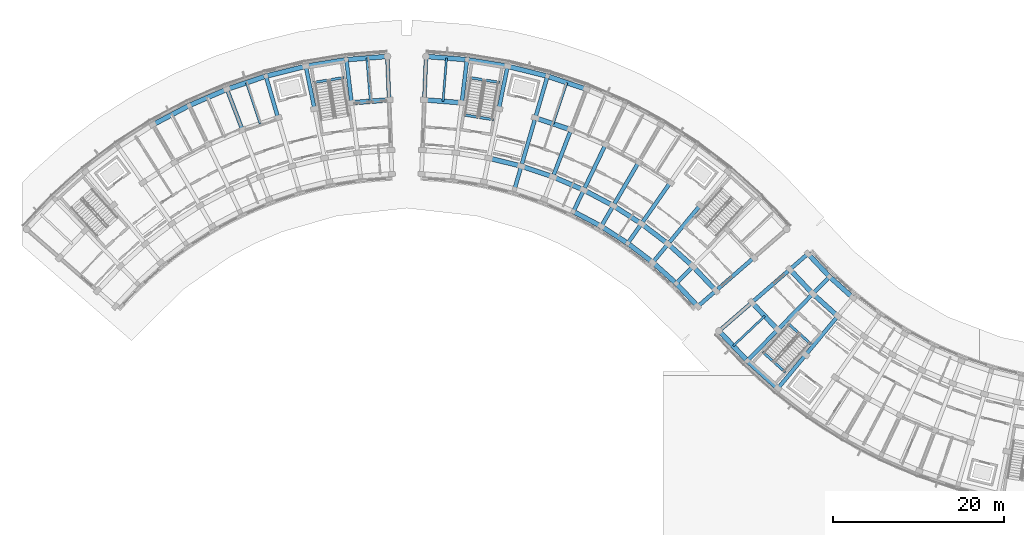
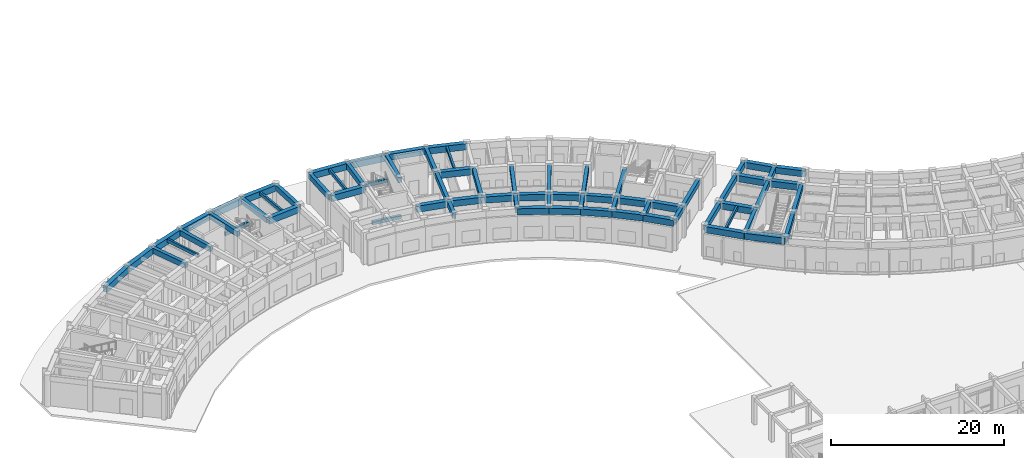
# One storey, part 17 of 61: 74 beams.
"""IFC4 building model written with IfcOpenShell, lengths in metres."""

import ifcopenshell
import ifcopenshell.guid

model = None  # the IFC model being written
_history = None  # IfcOwnerHistory: only IFC2X3 demands one
_inside = {}  # id of a spatial element -> (the spatial element, [elements in it])
_under = {}  # id of a project, library or spatial element -> (it, [spatial elements below it])
_declared = {}  # id of a project -> (the project, [libraries it declares])
_typed = {}  # id of a type object -> (the type object, [elements of that type])
_made_of = {}  # id of a material, layer set ... -> (it, [elements and type objects made of it])


def new_model(schema):
    """Start an empty IFC model of exactly this schema.

    Asked for "IFC4X3", IfcOpenShell would pick the latest addendum, in which some entities
    have other attributes; the version numbers below select the first issue.
    IFC2X3 requires an IfcOwnerHistory on every rooted entity: one is made here for all.
    """
    global model, _history
    if schema == "IFC4X3":
        model = ifcopenshell.file(schema_version=(4, 3, 0, 0))
    else:
        model = ifcopenshell.file(schema=schema)
    _inside.clear()
    _under.clear()
    _declared.clear()
    _typed.clear()
    _made_of.clear()
    _history = None
    if model.schema == "IFC2X3":
        org = make("IfcOrganization", Name="unknown")
        user = make(
            "IfcPersonAndOrganization",
            ThePerson=make("IfcPerson", FamilyName="unknown"),
            TheOrganization=org,
        )
        app = make(
            "IfcApplication",
            ApplicationDeveloper=org,
            Version="unknown",
            ApplicationFullName="unknown",
            ApplicationIdentifier="unknown",
        )
        _history = make(
            "IfcOwnerHistory",
            OwningUser=user,
            OwningApplication=app,
            ChangeAction="ADDED",
            CreationDate=0,
        )
    return model


def make(cls, **values):
    """One entity of the class cls with the attributes given. An attribute that is None is left unset."""
    return model.create_entity(
        cls, **{name: value for name, value in values.items() if value is not None}
    )


def rooted(cls, **values):
    """An entity with a GlobalId (a new one), such as an element, a storey or a relation."""
    return make(cls, GlobalId=ifcopenshell.guid.new(), OwnerHistory=_history, **values)


def si_unit(unit_type, name, prefix=None):
    """IfcSIUnit, for example si_unit("LENGTHUNIT", "METRE", prefix="MILLI")."""
    return make("IfcSIUnit", UnitType=unit_type, Prefix=prefix, Name=name)


def assignment(units):
    """IfcUnitAssignment: the units of a project."""
    return None if units is None else make("IfcUnitAssignment", Units=units)


def point(xyz):
    """IfcCartesianPoint."""
    return None if xyz is None else make("IfcCartesianPoint", Coordinates=xyz)


def direction(xyz):
    """IfcDirection."""
    return None if xyz is None else make("IfcDirection", DirectionRatios=xyz)


def frame(location, z_axis=None, x_axis=None):
    """IfcAxis2Placement3D, a coordinate frame: its origin and axes. An axis left out is left unset."""
    return make(
        "IfcAxis2Placement3D",
        Location=point(location),
        Axis=direction(z_axis),
        RefDirection=direction(x_axis),
    )


def frame_2d(location, x_axis=None):
    """IfcAxis2Placement2D, a coordinate frame in the plane: its origin and x axis."""
    return make(
        "IfcAxis2Placement2D", Location=point(location), RefDirection=direction(x_axis)
    )


def origin():
    """The frame at (0, 0, 0) with its axes left unset."""
    return frame((0.0, 0.0, 0.0))


def origin_2d():
    """The frame at (0, 0) in the plane with its x axis left unset."""
    return frame_2d((0.0, 0.0))


def place(relative_to, where):
    """IfcLocalPlacement: puts the frame where relative to a parent placement (None: the world)."""
    return make(
        "IfcLocalPlacement", PlacementRelTo=relative_to, RelativePlacement=where
    )


def context(
    kind, dimensions, precision=None, world=None, true_north=None, identifier=None
):
    """IfcGeometricRepresentationContext, for example the 3D "Model" context."""
    return make(
        "IfcGeometricRepresentationContext",
        ContextIdentifier=identifier,
        ContextType=kind,
        CoordinateSpaceDimension=dimensions,
        Precision=precision,
        WorldCoordinateSystem=world,
        TrueNorth=true_north,
    )


def subcontext(parent, identifier, kind, view, scale=None):
    """IfcGeometricRepresentationSubContext, for example "Body" below "Model"."""
    return make(
        "IfcGeometricRepresentationSubContext",
        ContextIdentifier=identifier,
        ContextType=kind,
        ParentContext=parent,
        TargetScale=scale,
        TargetView=view,
    )


def project(units=None, contexts=None):
    """IfcProject with its units and contexts."""
    return rooted(
        "IfcProject",
        Name="project",
        RepresentationContexts=contexts,
        UnitsInContext=assignment(units),
    )


def spatial(cls, under=None, at=None, **own):
    """A site, building, storey or space (cls), placed at a placement, below another one or the project."""
    s = rooted(cls, ObjectPlacement=at, **own)
    if under is not None:
        _under.setdefault(under.id(), (under, []))[1].append(s)
    return s


def profile(cls, at=None, kind="AREA", **sizes):
    """A parametric profile (cls). Its sizes go by their IFC names, for example OverallWidth=200.0."""
    return make(cls, ProfileType=kind, Position=at, **sizes)


def rectangle(**sizes):
    """IfcRectangleProfileDef."""
    return profile("IfcRectangleProfileDef", **sizes)


def extrude(swept, where, along, depth):
    """IfcExtrudedAreaSolid: the profile swept, set in the frame where, extruded along a direction by depth."""
    return make(
        "IfcExtrudedAreaSolid",
        SweptArea=swept,
        Position=where,
        ExtrudedDirection=direction(along),
        Depth=depth,
    )


def shape(context_of_items, identifier, shape_type, items):
    """IfcShapeRepresentation: the items that make up one representation, for example the "Body"."""
    return make(
        "IfcShapeRepresentation",
        ContextOfItems=context_of_items,
        RepresentationIdentifier=identifier,
        RepresentationType=shape_type,
        Items=items,
    )


def material(Name=None, Category=None):
    """IfcMaterial."""
    return make("IfcMaterial", Name=Name, Category=Category)


def material_profile(
    of_material, cross_section, Name=None, Category=None, Priority=None
):
    """IfcMaterialProfile: a cross section and its material."""
    return make(
        "IfcMaterialProfile",
        Name=Name,
        Material=of_material,
        Profile=cross_section,
        Priority=Priority,
        Category=Category,
    )


def profile_set(profiles, Name=None, composite=None):
    """IfcMaterialProfileSet."""
    return make(
        "IfcMaterialProfileSet",
        Name=Name,
        MaterialProfiles=profiles,
        CompositeProfile=composite,
    )


def made_of(thing, what):
    """Note that an element or type object is made of a material, layer set ...; save() writes the relation."""
    if what is not None:
        _made_of.setdefault(what.id(), (what, []))[1].append(thing)
    return thing


def type_object(cls, material=None, **own):
    """A type object (cls), such as IfcWallType, which elements share."""
    return made_of(rooted(cls, **own), material)


def element(
    cls,
    number,
    at=None,
    inside=None,
    cuts=None,
    type_object=None,
    material=None,
    context=None,
    identifier="Body",
    shape_type=None,
    held_by="IfcProductDefinitionShape",
    body=None,
    shapes=None,
    **own,
):
    """One element of the class cls, such as IfcWall. Its Tag is "e" and its number.

    at: its placement. inside: the storey or other place that contains it. cuts: it is an
    opening in that element (IfcRelVoidsElement). A single representation is given by context,
    identifier, shape_type and body (its items); several are given by shapes. held_by: the class
    of the entity that holds the representations. save() writes the other relations.
    """
    e = rooted(cls, Tag="e%d" % number, ObjectPlacement=at, **own)
    if body is not None:
        shapes = [shape(context, identifier, shape_type, body)]
    if shapes is not None:
        e.Representation = make(held_by, Representations=shapes)
    if inside is not None:
        _inside.setdefault(inside.id(), (inside, []))[1].append(e)
    if cuts is not None:
        rooted(
            "IfcRelVoidsElement", RelatingBuildingElement=cuts, RelatedOpeningElement=e
        )
    if type_object is not None:
        _typed.setdefault(type_object.id(), (type_object, []))[1].append(e)
    return made_of(e, material)


def aggregate(whole, parts):
    """IfcRelAggregates: a whole, such as a stair, and the parts it consists of."""
    return rooted("IfcRelAggregates", RelatingObject=whole, RelatedObjects=parts)


def save(model, path):
    """Write the relations noted so far, then the file.

    IfcRelAggregates (storeys below a building ...), IfcRelContainedInSpatialStructure (elements
    in a storey), IfcRelDefinesByType, IfcRelAssociatesMaterial and IfcRelDeclares: one each for
    every whole, place, type object, material and project.
    """
    for whole, parts in _under.values():
        aggregate(whole, parts)
    for where, things in _inside.values():
        rooted(
            "IfcRelContainedInSpatialStructure",
            RelatedElements=things,
            RelatingStructure=where,
        )
    for kind, things in _typed.values():
        rooted("IfcRelDefinesByType", RelatedObjects=things, RelatingType=kind)
    for what, things in _made_of.values():
        rooted("IfcRelAssociatesMaterial", RelatedObjects=things, RelatingMaterial=what)
    for by, libraries in _declared.values():
        rooted("IfcRelDeclares", RelatingContext=by, RelatedDefinitions=libraries)
    model.write(path)


model = new_model("IFC4")

# Units and contexts
model_context = context("Model", 3, precision=1e-05, world=origin(), true_north=direction((0.0, 1.0)))
body_context = subcontext(model_context, "Body", "Model", "MODEL_VIEW")
ifc_project = project(units=[si_unit("LENGTHUNIT", "METRE"), si_unit("AREAUNIT", "SQUARE_METRE"), si_unit("VOLUMEUNIT", "CUBIC_METRE"), si_unit("PLANEANGLEUNIT", "RADIAN"), si_unit("MASSUNIT", "GRAM", prefix="KILO")], contexts=[model_context])

# Site, building, storey
site_placement = place(None, origin())
site = spatial("IfcSite", under=ifc_project, at=site_placement, CompositionType="ELEMENT")
building_placement = place(site_placement, origin())
building = spatial("IfcBuilding", under=site, at=building_placement, Name="Zimvara Arc Housing Community", CompositionType="ELEMENT")
storey_placement = place(building_placement, origin())
storey = spatial("IfcBuildingStorey", under=building, at=storey_placement, Name="L00", CompositionType="ELEMENT", Elevation=0.0)

# Beams
ifc_material_1 = material(Name="Concrete C40/50", Category="concrete")
ifc_material_profile_1 = material_profile(ifc_material_1, rectangle(XDim=0.25, YDim=0.449951171875, at=origin_2d()), Name="RC 250x450")
ifc_profile_set_1 = profile_set([ifc_material_profile_1], Name="Concrete C40/50")
beam_type_1 = type_object("IfcBeamType", Name="BM-RC-250x450", PredefinedType="JOIST", material=ifc_profile_set_1)
for number, where, z_axis, x_axis, name in (
    (1, (27.8720703125, 95.453369140625, 4.034912109375), (-0.318607669836, 0.947886677152, 0.0), (-0.947886677152, -0.318607669836, 0.0), "bm:blkA:L00:joist:b6"),
    (2, (40.7451171875, 98.08642578125, 4.034912109375), (-0.079171686291, 0.99686099537, 0.0), (-0.99686099537, -0.079171686291, 0.0), "bm:blkA:L00:joist:b9"),
    (3, (49.2548828125, 98.08642578125, 4.034912109375), (0.079171686291, 0.99686099537, 0.0), (-0.99686099537, 0.079171686291, 0.0), "bm:blkB:L00:joist:b0"),
    (4, (62.1279296875, 95.453369140625, 4.034912109375), (0.318607669836, 0.947886677152, 0.0), (-0.947886677152, 0.318607669836, 0.0), "bm:blkB:L00:joist:b3"),
):
    element("IfcBeam", number, at=place(storey_placement, frame(where, z_axis=z_axis, x_axis=x_axis)), inside=storey, type_object=beam_type_1, Name=name, PredefinedType="JOIST", context=body_context, shape_type="SweptSolid", body=[
        extrude(rectangle(XDim=0.25, YDim=0.449951171875, at=origin_2d()), origin(), (0.0, 0.0, 1.0), 5.07568359375),
    ])
beam_1_placement = place(storey_placement, frame((86.88427734375, 72.966552734375, 4.034912109375), z_axis=(-0.727299876429, -0.686319815936, 0.0), x_axis=(0.686319815936, -0.727299876429, 0.0)))
element("IfcBeam", 5, at=beam_1_placement, inside=storey, type_object=beam_type_1, Name="bm:blkC:L00:joist:b0", PredefinedType="JOIST", context=body_context, shape_type="SweptSolid", body=[
    extrude(rectangle(XDim=0.25, YDim=0.449951171875, at=origin_2d()), origin(), (0.0, 0.0, 1.0), 5.075927734375),
])
ifc_material_2 = material(Name="Concrete C40/50", Category="concrete")
ifc_material_profile_2 = material_profile(ifc_material_2, rectangle(XDim=0.300048828125, YDim=0.5, at=origin_2d()), Name="RC 300x500")
ifc_profile_set_2 = profile_set([ifc_material_profile_2], Name="Concrete C40/50")
beam_type_2 = type_object("IfcBeamType", Name="BM-RC-300x500", PredefinedType="BEAM", material=ifc_profile_set_2)
beam_2_placement = place(storey_placement, frame((37.659423828125, 100.862060546875, 2.0), z_axis=(-0.987078302092, -0.160238651826, 0.0), x_axis=(0.160238651826, -0.987078302092, 0.0)))
element("IfcBeam", 6, at=beam_2_placement, inside=storey, type_object=beam_type_2, Name="bm:stair_trim:ST-A2:L00:mid", PredefinedType="BEAM", context=body_context, shape_type="SweptSolid", body=[
    extrude(rectangle(XDim=0.300048828125, YDim=0.5, at=origin_2d()), origin(), (0.0, 0.0, 1.0), 3.56982421875),
])
beam_3_placement = place(storey_placement, frame((55.15771484375, 95.93701171875, -0.25), z_axis=(-0.987080057935, 0.160227835371, 0.0), x_axis=(-0.160227835371, -0.987080057935, 0.0)))
element("IfcBeam", 7, at=beam_3_placement, inside=storey, type_object=beam_type_2, Name="bm:stair_trim:ST-B1:L00:near", PredefinedType="BEAM", context=body_context, shape_type="SweptSolid", body=[
    extrude(rectangle(XDim=0.300048828125, YDim=0.5, at=origin_2d()), origin(), (0.0, 0.0, 1.0), 3.570068359375),
])
for number, where, z_axis, x_axis, name in (
    (8, (55.8642578125, 100.2900390625, 2.0), (-0.987078302092, 0.160238651826, 0.0), (-0.160238651826, -0.987078302092, 0.0), "bm:stair_trim:ST-B1:L00:mid"),
    (9, (89.604248046875, 72.100830078125, -0.25), (0.743396155404, -0.668851370732, 0.0), (0.668851370732, 0.743396155404, 0.0), "bm:stair_trim:ST-C1:L00:near"),
):
    element("IfcBeam", number, at=place(storey_placement, frame(where, z_axis=z_axis, x_axis=x_axis)), inside=storey, type_object=beam_type_2, Name=name, PredefinedType="BEAM", context=body_context, shape_type="SweptSolid", body=[
        extrude(rectangle(XDim=0.300048828125, YDim=0.5, at=origin_2d()), origin(), (0.0, 0.0, 1.0), 3.56982421875),
    ])
beam_4_placement = place(storey_placement, frame((86.62646484375, 68.79150390625, 2.0), z_axis=(0.743362151162, -0.668889162881, 0.0), x_axis=(0.668889162881, 0.743362151162, 0.0)))
element("IfcBeam", 10, at=beam_4_placement, inside=storey, type_object=beam_type_2, Name="bm:stair_trim:ST-C1:L00:mid", PredefinedType="BEAM", context=body_context, shape_type="SweptSolid", body=[
    extrude(rectangle(XDim=0.300048828125, YDim=0.5, at=origin_2d()), origin(), (0.0, 0.0, 1.0), 3.570068359375),
])
ifc_material_3 = material(Name="Concrete C40/50", Category="concrete")
ifc_material_profile_3 = material_profile(ifc_material_3, rectangle(XDim=0.449951171875, YDim=0.75, at=origin_2d()), Name="RC 450x750")
ifc_profile_set_3 = profile_set([ifc_material_profile_3], Name="Concrete C40/50")
beam_type_3 = type_object("IfcBeamType", Name="BM-RC-450x750", PredefinedType="BEAM", material=ifc_profile_set_3)
beam_5_placement = place(storey_placement, frame((25.7900390625, 94.75341796875, 3.885009765625), z_axis=(-0.357078271386, 0.934074466038, 0.0), x_axis=(-0.934074466038, -0.357078271386, 0.0)))
element("IfcBeam", 11, at=beam_5_placement, inside=storey, type_object=beam_type_3, Name="bm:blkA:L00:rad:b6:r23", PredefinedType="BEAM", context=body_context, shape_type="SweptSolid", body=[
    extrude(rectangle(XDim=0.449951171875, YDim=0.75, at=origin_2d()), origin(), (0.0, 0.0, 1.0), 5.080078125),
])
for number, where, z_axis, x_axis, name in (
    (12, (29.9541015625, 96.1533203125, 3.885009765625), (-0.279662254096, 0.960098444762, 0.0), (-0.960098444762, -0.279662254096, 0.0), "bm:blkA:L00:rad:b7:r23"),
    (13, (34.21875, 97.208740234375, 3.885009765625), (-0.200411962389, 0.97971171542, 0.0), (-0.97971171542, -0.200411962389, 0.0), "bm:blkA:L00:rad:b8:r23"),
):
    element("IfcBeam", number, at=place(storey_placement, frame(where, z_axis=z_axis, x_axis=x_axis)), inside=storey, type_object=beam_type_3, Name=name, PredefinedType="BEAM", context=body_context, shape_type="SweptSolid", body=[
        extrude(rectangle(XDim=0.449951171875, YDim=0.75, at=origin_2d()), origin(), (0.0, 0.0, 1.0), 5.079833984375),
    ])
for number, where, z_axis, x_axis, name in (
    (14, (38.55517578125, 97.91259765625, 3.885009765625), (-0.119762990499, 0.99280251113, 0.0), (-0.99280251113, -0.119762990499, 0.0), "bm:blkA:L00:rad:b9:r23"),
    (15, (42.934814453125, 98.26025390625, 3.885009765625), (-0.038398054907, 0.999262522753, 0.0), (-0.999262522753, -0.038398054907, 0.0), "bm:blkA:L00:rad:b10:r23"),
    (16, (47.065185546875, 98.26025390625, 3.885009765625), (0.038398054907, 0.999262522753, 0.0), (-0.999262522753, 0.038398054907, 0.0), "bm:blkB:L00:rad:b0:r23"),
    (17, (51.44482421875, 97.91259765625, 3.885009765625), (0.119762990499, 0.99280251113, 0.0), (-0.99280251113, 0.119762990499, 0.0), "bm:blkB:L00:rad:b1:r23"),
):
    element("IfcBeam", number, at=place(storey_placement, frame(where, z_axis=z_axis, x_axis=x_axis)), inside=storey, type_object=beam_type_3, Name=name, PredefinedType="BEAM", context=body_context, shape_type="SweptSolid", body=[
        extrude(rectangle(XDim=0.449951171875, YDim=0.75, at=origin_2d()), origin(), (0.0, 0.0, 1.0), 5.080078125),
    ])
beam_6_placement = place(storey_placement, frame((55.78125, 97.208740234375, 3.885009765625), z_axis=(0.200411962389, 0.97971171542, 0.0), x_axis=(-0.97971171542, 0.200411962389, 0.0)))
element("IfcBeam", 18, at=beam_6_placement, inside=storey, type_object=beam_type_3, Name="bm:blkB:L00:rad:b2:r23", PredefinedType="BEAM", context=body_context, shape_type="SweptSolid", body=[
    extrude(rectangle(XDim=0.449951171875, YDim=0.75, at=origin_2d()), origin(), (0.0, 0.0, 1.0), 5.079833984375),
])
beam_7_placement = place(storey_placement, frame((57.618408203125, 87.819580078125, 3.885009765625), z_axis=(0.279635015525, 0.960106378529, 0.0), x_axis=(-0.960106378529, 0.279635015525, 0.0)))
element("IfcBeam", 19, at=beam_7_placement, inside=storey, type_object=beam_type_3, Name="bm:blkB:L00:rad:b3:r01", PredefinedType="BEAM", context=body_context, shape_type="SweptSolid", body=[
    extrude(rectangle(XDim=0.449951171875, YDim=0.75, at=origin_2d()), origin(), (0.0, 0.0, 1.0), 2.800048828125),
])
beam_8_placement = place(storey_placement, frame((58.4013671875, 90.5078125, 3.885009765625), z_axis=(0.27967473749, 0.960094808449, 0.0), x_axis=(-0.960094808449, 0.27967473749, 0.0)))
element("IfcBeam", 20, at=beam_8_placement, inside=storey, type_object=beam_type_3, Name="bm:blkB:L00:rad:b3:r12", PredefinedType="BEAM", context=body_context, shape_type="SweptSolid", body=[
    extrude(rectangle(XDim=0.449951171875, YDim=0.75, at=origin_2d()), origin(), (0.0, 0.0, 1.0), 5.880126953125),
])
beam_9_placement = place(storey_placement, frame((60.0458984375, 96.1533203125, 3.885009765625), z_axis=(0.279662254096, 0.960098444762, 0.0), x_axis=(-0.960098444762, 0.279662254096, 0.0)))
element("IfcBeam", 21, at=beam_9_placement, inside=storey, type_object=beam_type_3, Name="bm:blkB:L00:rad:b3:r23", PredefinedType="BEAM", context=body_context, shape_type="SweptSolid", body=[
    extrude(rectangle(XDim=0.449951171875, YDim=0.75, at=origin_2d()), origin(), (0.0, 0.0, 1.0), 5.079833984375),
])
beam_10_placement = place(storey_placement, frame((62.110595703125, 89.260986328125, 3.885009765625), z_axis=(0.357036247742, 0.934090529766, 0.0), x_axis=(-0.934090529766, 0.357036247742, 0.0)))
element("IfcBeam", 22, at=beam_10_placement, inside=storey, type_object=beam_type_3, Name="bm:blkB:L00:rad:b4:r12", PredefinedType="BEAM", context=body_context, shape_type="SweptSolid", body=[
    extrude(rectangle(XDim=0.449951171875, YDim=0.75, at=origin_2d()), origin(), (0.0, 0.0, 1.0), 5.8798828125),
])
beam_11_placement = place(storey_placement, frame((64.49560546875, 85.190673828125, 3.885009765625), z_axis=(0.432118703138, 0.901816736593, 0.0), x_axis=(-0.901816736593, 0.432118703138, 0.0)))
element("IfcBeam", 23, at=beam_11_placement, inside=storey, type_object=beam_type_3, Name="bm:blkB:L00:rad:b5:r01", PredefinedType="BEAM", context=body_context, shape_type="SweptSolid", body=[
    extrude(rectangle(XDim=0.449951171875, YDim=0.75, at=origin_2d()), origin(), (0.0, 0.0, 1.0), 2.800048828125),
])
beam_12_placement = place(storey_placement, frame((65.70556640625, 87.7158203125, 3.885009765625), z_axis=(0.432069527705, 0.901840298073, 0.0), x_axis=(-0.901840298073, 0.432069527705, 0.0)))
element("IfcBeam", 24, at=beam_12_placement, inside=storey, type_object=beam_type_3, Name="bm:blkB:L00:rad:b5:r12", PredefinedType="BEAM", context=body_context, shape_type="SweptSolid", body=[
    extrude(rectangle(XDim=0.449951171875, YDim=0.75, at=origin_2d()), origin(), (0.0, 0.0, 1.0), 5.8798828125),
])
beam_13_placement = place(storey_placement, frame((67.750732421875, 83.46435546875, 3.885009765625), z_axis=(0.504239631668, 0.86356377521, 0.0), x_axis=(-0.86356377521, 0.504239631668, 0.0)))
element("IfcBeam", 25, at=beam_13_placement, inside=storey, type_object=beam_type_3, Name="bm:blkB:L00:rad:b6:r01", PredefinedType="BEAM", context=body_context, shape_type="SweptSolid", body=[
    extrude(rectangle(XDim=0.449951171875, YDim=0.75, at=origin_2d()), origin(), (0.0, 0.0, 1.0), 2.800048828125),
])
beam_14_placement = place(storey_placement, frame((69.16259765625, 85.88232421875, 3.885009765625), z_axis=(0.504219494781, 0.863575532934, 0.0), x_axis=(-0.863575532934, 0.504219494781, 0.0)))
element("IfcBeam", 26, at=beam_14_placement, inside=storey, type_object=beam_type_3, Name="bm:blkB:L00:rad:b6:r12", PredefinedType="BEAM", context=body_context, shape_type="SweptSolid", body=[
    extrude(rectangle(XDim=0.449951171875, YDim=0.75, at=origin_2d()), origin(), (0.0, 0.0, 1.0), 5.880126953125),
])
beam_15_placement = place(storey_placement, frame((70.85400390625, 81.478271484375, 3.885009765625), z_axis=(0.57297651105, 0.819571789281, 0.0), x_axis=(-0.819571789281, 0.57297651105, 0.0)))
element("IfcBeam", 27, at=beam_15_placement, inside=storey, type_object=beam_type_3, Name="bm:blkB:L00:rad:b7:r01", PredefinedType="BEAM", context=body_context, shape_type="SweptSolid", body=[
    extrude(rectangle(XDim=0.449951171875, YDim=0.75, at=origin_2d()), origin(), (0.0, 0.0, 1.0), 2.7998046875),
])
beam_16_placement = place(storey_placement, frame((72.458251953125, 83.77294921875, 3.885009765625), z_axis=(0.573027549978, 0.819536104736, 0.0), x_axis=(-0.819536104736, 0.573027549978, 0.0)))
element("IfcBeam", 28, at=beam_16_placement, inside=storey, type_object=beam_type_3, Name="bm:blkB:L00:rad:b7:r12", PredefinedType="BEAM", context=body_context, shape_type="SweptSolid", body=[
    extrude(rectangle(XDim=0.449951171875, YDim=0.75, at=origin_2d()), origin(), (0.0, 0.0, 1.0), 5.8798828125),
])
beam_17_placement = place(storey_placement, frame((73.784912109375, 79.245361328125, 3.885009765625), z_axis=(0.637917412223, 0.770104781951, 0.0), x_axis=(-0.770104781951, 0.637917412223, 0.0)))
element("IfcBeam", 29, at=beam_17_placement, inside=storey, type_object=beam_type_3, Name="bm:blkB:L00:rad:b8:r01", PredefinedType="BEAM", context=body_context, shape_type="SweptSolid", body=[
    extrude(rectangle(XDim=0.449951171875, YDim=0.75, at=origin_2d()), origin(), (0.0, 0.0, 1.0), 2.800048828125),
])
beam_18_placement = place(storey_placement, frame((75.571044921875, 81.401611328125, 3.885009765625), z_axis=(0.637955964415, 0.770072845559, 0.0), x_axis=(-0.770072845559, 0.637955964415, 0.0)))
element("IfcBeam", 30, at=beam_18_placement, inside=storey, type_object=beam_type_3, Name="bm:blkB:L00:rad:b8:r12", PredefinedType="BEAM", context=body_context, shape_type="SweptSolid", body=[
    extrude(rectangle(XDim=0.449951171875, YDim=0.75, at=origin_2d()), origin(), (0.0, 0.0, 1.0), 5.880126953125),
])
for number, where, z_axis, x_axis, name in (
    (31, (76.523681640625, 76.781005859375, 3.885009765625), (0.698643013894, 0.71547043205, 0.0), (-0.71547043205, 0.698643013894, 0.0), "bm:blkB:L00:rad:b9:r01"),
    (32, (79.052490234375, 74.101318359375, 3.885009765625), (0.754733151583, 0.656031912259, 0.0), (-0.656031912259, 0.754733151583, 0.0), "bm:blkB:L00:rad:b10:r01"),
):
    element("IfcBeam", number, at=place(storey_placement, frame(where, z_axis=z_axis, x_axis=x_axis)), inside=storey, type_object=beam_type_3, Name=name, PredefinedType="BEAM", context=body_context, shape_type="SweptSolid", body=[
        extrude(rectangle(XDim=0.449951171875, YDim=0.75, at=origin_2d()), origin(), (0.0, 0.0, 1.0), 2.800048828125),
    ])
beam_19_placement = place(storey_placement, frame((81.165771484375, 75.938232421875, 3.885009765625), z_axis=(0.754692223258, 0.656078995362, 0.0), x_axis=(-0.656078995362, 0.754692223258, 0.0)))
element("IfcBeam", 33, at=beam_19_placement, inside=storey, type_object=beam_type_3, Name="bm:blkB:L00:rad:b10:r12", PredefinedType="BEAM", context=body_context, shape_type="SweptSolid", body=[
    extrude(rectangle(XDim=0.449951171875, YDim=0.75, at=origin_2d()), origin(), (0.0, 0.0, 1.0), 5.8798828125),
])
beam_20_placement = place(storey_placement, frame((91.927490234375, 80.258544921875, 3.885009765625), z_axis=(-0.754733151583, -0.656031912259, 0.0), x_axis=(0.656031912259, -0.754733151583, 0.0)))
element("IfcBeam", 34, at=beam_20_placement, inside=storey, type_object=beam_type_3, Name="bm:blkC:L00:rad:b0:r01", PredefinedType="BEAM", context=body_context, shape_type="SweptSolid", body=[
    extrude(rectangle(XDim=0.449951171875, YDim=0.75, at=origin_2d()), origin(), (0.0, 0.0, 1.0), 2.800048828125),
])
beam_21_placement = place(storey_placement, frame((89.814208984375, 78.421630859375, 3.885009765625), z_axis=(-0.754692223258, -0.656078995362, 0.0), x_axis=(0.656078995362, -0.754692223258, 0.0)))
element("IfcBeam", 35, at=beam_21_placement, inside=storey, type_object=beam_type_3, Name="bm:blkC:L00:rad:b0:r12", PredefinedType="BEAM", context=body_context, shape_type="SweptSolid", body=[
    extrude(rectangle(XDim=0.449951171875, YDim=0.75, at=origin_2d()), origin(), (0.0, 0.0, 1.0), 5.8798828125),
])
beam_22_placement = place(storey_placement, frame((85.376708984375, 74.56396484375, 3.885009765625), z_axis=(-0.754716217499, -0.656051393599, 0.0), x_axis=(0.656051393599, -0.754716217499, 0.0)))
element("IfcBeam", 36, at=beam_22_placement, inside=storey, type_object=beam_type_3, Name="bm:blkC:L00:rad:b0:r23", PredefinedType="BEAM", context=body_context, shape_type="SweptSolid", body=[
    extrude(rectangle(XDim=0.449951171875, YDim=0.75, at=origin_2d()), origin(), (0.0, 0.0, 1.0), 5.080078125),
])
beam_23_placement = place(storey_placement, frame((94.456298828125, 77.578857421875, 3.885009765625), z_axis=(-0.69868659732, -0.715427871085, 0.0), x_axis=(0.715427871085, -0.69868659732, 0.0)))
element("IfcBeam", 37, at=beam_23_placement, inside=storey, type_object=beam_type_3, Name="bm:blkC:L00:rad:b1:r01", PredefinedType="BEAM", context=body_context, shape_type="SweptSolid", body=[
    extrude(rectangle(XDim=0.449951171875, YDim=0.75, at=origin_2d()), origin(), (0.0, 0.0, 1.0), 2.800048828125),
])
beam_24_placement = place(storey_placement, frame((92.5, 75.57568359375, 3.885009765625), z_axis=(-0.698669844288, -0.715444231707, 0.0), x_axis=(0.715444231707, -0.698669844288, 0.0)))
element("IfcBeam", 38, at=beam_24_placement, inside=storey, type_object=beam_type_3, Name="bm:blkC:L00:rad:b1:r12", PredefinedType="BEAM", context=body_context, shape_type="SweptSolid", body=[
    extrude(rectangle(XDim=0.449951171875, YDim=0.75, at=origin_2d()), origin(), (0.0, 0.0, 1.0), 5.8798828125),
])
beam_25_placement = place(storey_placement, frame((88.391845703125, 71.368896484375, 3.885009765625), z_axis=(-0.698670885014, -0.71544321538, 0.0), x_axis=(0.71544321538, -0.698670885014, 0.0)))
element("IfcBeam", 39, at=beam_25_placement, inside=storey, type_object=beam_type_3, Name="bm:blkC:L00:rad:b1:r23", PredefinedType="BEAM", context=body_context, shape_type="SweptSolid", body=[
    extrude(rectangle(XDim=0.449951171875, YDim=0.75, at=origin_2d()), origin(), (0.0, 0.0, 1.0), 5.080078125),
])
beam_26_placement = place(storey_placement, frame((95.408935546875, 72.958251953125, 3.885009765625), z_axis=(-0.637976362518, -0.770055946583, 0.0), x_axis=(0.770055946583, -0.637976362518, 0.0)))
element("IfcBeam", 40, at=beam_26_placement, inside=storey, type_object=beam_type_3, Name="bm:blkC:L00:rad:b2:r12", PredefinedType="BEAM", context=body_context, shape_type="SweptSolid", body=[
    extrude(rectangle(XDim=0.449951171875, YDim=0.75, at=origin_2d()), origin(), (0.0, 0.0, 1.0), 5.8798828125),
])
beam_27_placement = place(storey_placement, frame((91.65771484375, 68.430419921875, 3.885009765625), z_axis=(-0.637960059333, -0.770069453164, 0.0), x_axis=(0.770069453164, -0.637960059333, 0.0)))
element("IfcBeam", 41, at=beam_27_placement, inside=storey, type_object=beam_type_3, Name="bm:blkC:L00:rad:b2:r23", PredefinedType="BEAM", context=body_context, shape_type="SweptSolid", body=[
    extrude(rectangle(XDim=0.449951171875, YDim=0.75, at=origin_2d()), origin(), (0.0, 0.0, 1.0), 5.080322265625),
])
ifc_material_4 = material(Name="Concrete C40/50", Category="concrete")
ifc_material_profile_4 = material_profile(ifc_material_4, rectangle(XDim=0.56005859375, YDim=0.8798828125, at=origin_2d()), Name="RC 560x880")
ifc_profile_set_4 = profile_set([ifc_material_profile_4], Name="Concrete C40/50")
beam_type_4 = type_object("IfcBeamType", Name="BM-RC-560x880", PredefinedType="BEAM", material=ifc_profile_set_4)
beam_28_placement = place(storey_placement, frame((38.55517578125, 97.91259765625, 3.820068359375), z_axis=(0.996864209836, 0.079131202119, 0.0), x_axis=(-0.079131202119, 0.996864209836, 0.0)))
element("IfcBeam", 42, at=beam_28_placement, inside=storey, type_object=beam_type_4, Name="bm:blkA:L00:chord:r2:b9", PredefinedType="BEAM", context=body_context, shape_type="SweptSolid", body=[
    extrude(rectangle(XDim=0.56005859375, YDim=0.8798828125, at=origin_2d()), origin(), (0.0, 0.0, 1.0), 4.393310546875),
])
beam_29_placement = place(storey_placement, frame((15.311279296875, 95.34716796875, 3.820068359375), z_axis=(0.883445542299, 0.468533855546, 0.0), x_axis=(-0.468533855546, 0.883445542299, 0.0)))
element("IfcBeam", 43, at=beam_29_placement, inside=storey, type_object=beam_type_4, Name="bm:blkA:L00:chord:r3:b4", PredefinedType="BEAM", context=body_context, shape_type="SweptSolid", body=[
    extrude(rectangle(XDim=0.56005859375, YDim=0.8798828125, at=origin_2d()), origin(), (0.0, 0.0, 1.0), 4.807861328125),
])
beam_30_placement = place(storey_placement, frame((19.558837890625, 97.599853515625, 3.820068359375), z_axis=(0.918724276228, 0.394899612901, 0.0), x_axis=(-0.394899612901, 0.918724276228, 0.0)))
element("IfcBeam", 44, at=beam_30_placement, inside=storey, type_object=beam_type_4, Name="bm:blkA:L00:chord:r3:b5", PredefinedType="BEAM", context=body_context, shape_type="SweptSolid", body=[
    extrude(rectangle(XDim=0.56005859375, YDim=0.8798828125, at=origin_2d()), origin(), (0.0, 0.0, 1.0), 4.80810546875),
])
beam_31_placement = place(storey_placement, frame((23.97607421875, 99.49853515625, 3.820068359375), z_axis=(0.947877948153, 0.31863363822, 0.0), x_axis=(-0.31863363822, 0.947877948153, 0.0)))
element("IfcBeam", 45, at=beam_31_placement, inside=storey, type_object=beam_type_4, Name="bm:blkA:L00:chord:r3:b6", PredefinedType="BEAM", context=body_context, shape_type="SweptSolid", body=[
    extrude(rectangle(XDim=0.56005859375, YDim=0.8798828125, at=origin_2d()), origin(), (0.0, 0.0, 1.0), 4.807861328125),
])
beam_32_placement = place(storey_placement, frame((28.533447265625, 101.030517578125, 3.820068359375), z_axis=(0.970716235341, 0.240229037474, 0.0), x_axis=(-0.240229037474, 0.970716235341, 0.0)))
element("IfcBeam", 46, at=beam_32_placement, inside=storey, type_object=beam_type_4, Name="bm:blkA:L00:chord:r3:b7", PredefinedType="BEAM", context=body_context, shape_type="SweptSolid", body=[
    extrude(rectangle(XDim=0.56005859375, YDim=0.8798828125, at=origin_2d()), origin(), (0.0, 0.0, 1.0), 4.80810546875),
])
beam_33_placement = place(storey_placement, frame((33.20068359375, 102.185546875, 3.820068359375), z_axis=(0.987076839731, 0.160247659784, 0.0), x_axis=(-0.160247659784, 0.987076839731, 0.0)))
element("IfcBeam", 47, at=beam_33_placement, inside=storey, type_object=beam_type_4, Name="bm:blkA:L00:chord:r3:b8", PredefinedType="BEAM", context=body_context, shape_type="SweptSolid", body=[
    extrude(rectangle(XDim=0.56005859375, YDim=0.8798828125, at=origin_2d()), origin(), (0.0, 0.0, 1.0), 4.808349609375),
])
beam_34_placement = place(storey_placement, frame((37.94677734375, 102.9560546875, 3.820068359375), z_axis=(0.996861768207, 0.0791619548, 0.0), x_axis=(-0.0791619548, 0.996861768207, 0.0)))
element("IfcBeam", 48, at=beam_34_placement, inside=storey, type_object=beam_type_4, Name="bm:blkA:L00:chord:r3:b9", PredefinedType="BEAM", context=body_context, shape_type="SweptSolid", body=[
    extrude(rectangle(XDim=0.56005859375, YDim=0.8798828125, at=origin_2d()), origin(), (0.0, 0.0, 1.0), 4.80810546875),
])
beam_35_placement = place(storey_placement, frame((64.49560546875, 85.190673828125, 3.820068359375), z_axis=(0.883449220086, -0.468526920815, 0.0), x_axis=(0.468526920815, 0.883449220086, 0.0)))
element("IfcBeam", 49, at=beam_35_placement, inside=storey, type_object=beam_type_4, Name="bm:blkB:L00:chord:r0:b5", PredefinedType="BEAM", context=body_context, shape_type="SweptSolid", body=[
    extrude(rectangle(XDim=0.56005859375, YDim=0.8798828125, at=origin_2d()), origin(), (0.0, 0.0, 1.0), 3.6845703125),
])
beam_36_placement = place(storey_placement, frame((67.750732421875, 83.46435546875, 3.820068359375), z_axis=(0.842272604079, -0.539051816079, 0.0), x_axis=(0.539051816079, 0.842272604079, 0.0)))
element("IfcBeam", 50, at=beam_36_placement, inside=storey, type_object=beam_type_4, Name="bm:blkB:L00:chord:r0:b6", PredefinedType="BEAM", context=body_context, shape_type="SweptSolid", body=[
    extrude(rectangle(XDim=0.56005859375, YDim=0.8798828125, at=origin_2d()), origin(), (0.0, 0.0, 1.0), 3.684326171875),
])
beam_37_placement = place(storey_placement, frame((70.85400390625, 81.478271484375, 3.820068359375), z_axis=(0.795453014049, -0.606015265847, 0.0), x_axis=(0.606015265847, 0.795453014049, 0.0)))
element("IfcBeam", 51, at=beam_37_placement, inside=storey, type_object=beam_type_4, Name="bm:blkB:L00:chord:r0:b7", PredefinedType="BEAM", context=body_context, shape_type="SweptSolid", body=[
    extrude(rectangle(XDim=0.56005859375, YDim=0.8798828125, at=origin_2d()), origin(), (0.0, 0.0, 1.0), 3.6845703125),
])
beam_38_placement = place(storey_placement, frame((73.784912109375, 79.245361328125, 3.820068359375), z_axis=(0.743366631239, -0.668884183966, 0.0), x_axis=(0.668884183966, 0.743366631239, 0.0)))
element("IfcBeam", 52, at=beam_38_placement, inside=storey, type_object=beam_type_4, Name="bm:blkB:L00:chord:r0:b8", PredefinedType="BEAM", context=body_context, shape_type="SweptSolid", body=[
    extrude(rectangle(XDim=0.56005859375, YDim=0.8798828125, at=origin_2d()), origin(), (0.0, 0.0, 1.0), 3.684326171875),
])
beam_39_placement = place(storey_placement, frame((76.523681640625, 76.781005859375, 3.820068359375), z_axis=(0.686335517678, -0.727285059088, 0.0), x_axis=(0.727285059088, 0.686335517678, 0.0)))
element("IfcBeam", 53, at=beam_39_placement, inside=storey, type_object=beam_type_4, Name="bm:blkB:L00:chord:r0:b9", PredefinedType="BEAM", context=body_context, shape_type="SweptSolid", body=[
    extrude(rectangle(XDim=0.56005859375, YDim=0.8798828125, at=origin_2d()), origin(), (0.0, 0.0, 1.0), 3.6845703125),
])
for number, where, z_axis, x_axis, name in (
    (54, (54.602783203125, 91.447998046875, 3.820068359375), (0.970708671682, -0.240259598602, 0.0), (0.240259598602, 0.970708671682, 0.0), "bm:blkB:L00:chord:r1:b2"),
    (55, (58.4013671875, 90.5078125, 3.820068359375), (0.947881689069, -0.31862250945, 0.0), (0.31862250945, 0.947881689069, 0.0), "bm:blkB:L00:chord:r1:b3"),
    (56, (62.110595703125, 89.260986328125, 3.820068359375), (0.91873144242, -0.394882940514, 0.0), (0.394882940514, 0.91873144242, 0.0), "bm:blkB:L00:chord:r1:b4"),
    (57, (65.70556640625, 87.7158203125, 3.820068359375), (0.883438625159, -0.468546897948, 0.0), (0.468546897948, 0.883438625159, 0.0), "bm:blkB:L00:chord:r1:b5"),
):
    element("IfcBeam", number, at=place(storey_placement, frame(where, z_axis=z_axis, x_axis=x_axis)), inside=storey, type_object=beam_type_4, Name=name, PredefinedType="BEAM", context=body_context, shape_type="SweptSolid", body=[
        extrude(rectangle(XDim=0.56005859375, YDim=0.8798828125, at=origin_2d()), origin(), (0.0, 0.0, 1.0), 3.9130859375),
    ])
beam_40_placement = place(storey_placement, frame((69.16259765625, 85.88232421875, 3.820068359375), z_axis=(0.842253269878, -0.539082024724, 0.0), x_axis=(0.539082024724, 0.842253269878, 0.0)))
element("IfcBeam", 58, at=beam_40_placement, inside=storey, type_object=beam_type_4, Name="bm:blkB:L00:chord:r1:b6", PredefinedType="BEAM", context=body_context, shape_type="SweptSolid", body=[
    extrude(rectangle(XDim=0.56005859375, YDim=0.8798828125, at=origin_2d()), origin(), (0.0, 0.0, 1.0), 3.912841796875),
])
for number, where, z_axis, x_axis, name in (
    (59, (72.458251953125, 83.77294921875, 3.820068359375), (0.795470387579, -0.605992460749, 0.0), (0.605992460749, 0.795470387579, 0.0), "bm:blkB:L00:chord:r1:b7"),
    (60, (75.571044921875, 81.401611328125, 3.820068359375), (0.743402719516, -0.668844074965, 0.0), (0.668844074965, 0.743402719516, 0.0), "bm:blkB:L00:chord:r1:b8"),
):
    element("IfcBeam", number, at=place(storey_placement, frame(where, z_axis=z_axis, x_axis=x_axis)), inside=storey, type_object=beam_type_4, Name=name, PredefinedType="BEAM", context=body_context, shape_type="SweptSolid", body=[
        extrude(rectangle(XDim=0.56005859375, YDim=0.8798828125, at=origin_2d()), origin(), (0.0, 0.0, 1.0), 3.9130859375),
    ])
beam_41_placement = place(storey_placement, frame((78.47998046875, 78.784423828125, 3.820068359375), z_axis=(0.686315710793, -0.727303750243, 0.0), x_axis=(0.727303750243, 0.686315710793, 0.0)))
element("IfcBeam", 61, at=beam_41_placement, inside=storey, type_object=beam_type_4, Name="bm:blkB:L00:chord:r1:b9", PredefinedType="BEAM", context=body_context, shape_type="SweptSolid", body=[
    extrude(rectangle(XDim=0.56005859375, YDim=0.8798828125, at=origin_2d()), origin(), (0.0, 0.0, 1.0), 3.913330078125),
])
beam_42_placement = place(storey_placement, frame((47.065185546875, 98.26025390625, 3.820068359375), z_axis=(0.996864209836, -0.079131202119, 0.0), x_axis=(0.079131202119, 0.996864209836, 0.0)))
element("IfcBeam", 62, at=beam_42_placement, inside=storey, type_object=beam_type_4, Name="bm:blkB:L00:chord:r2:b0", PredefinedType="BEAM", context=body_context, shape_type="SweptSolid", body=[
    extrude(rectangle(XDim=0.56005859375, YDim=0.8798828125, at=origin_2d()), origin(), (0.0, 0.0, 1.0), 4.393310546875),
])
beam_43_placement = place(storey_placement, frame((60.0458984375, 96.1533203125, 3.820068359375), z_axis=(0.947868796036, -0.318660862832, 0.0), x_axis=(0.318660862832, 0.947868796036, 0.0)))
element("IfcBeam", 63, at=beam_43_placement, inside=storey, type_object=beam_type_4, Name="bm:blkB:L00:chord:r2:b3", PredefinedType="BEAM", context=body_context, shape_type="SweptSolid", body=[
    extrude(rectangle(XDim=0.56005859375, YDim=0.8798828125, at=origin_2d()), origin(), (0.0, 0.0, 1.0), 4.39306640625),
])
beam_44_placement = place(storey_placement, frame((47.26025390625, 103.336669921875, 3.820068359375), z_axis=(0.996861768207, -0.0791619548, 0.0), x_axis=(0.0791619548, 0.996861768207, 0.0)))
element("IfcBeam", 64, at=beam_44_placement, inside=storey, type_object=beam_type_4, Name="bm:blkB:L00:chord:r3:b0", PredefinedType="BEAM", context=body_context, shape_type="SweptSolid", body=[
    extrude(rectangle(XDim=0.56005859375, YDim=0.8798828125, at=origin_2d()), origin(), (0.0, 0.0, 1.0), 4.80810546875),
])
beam_45_placement = place(storey_placement, frame((52.05322265625, 102.9560546875, 3.820068359375), z_axis=(0.987076839731, -0.160247659784, 0.0), x_axis=(0.160247659784, 0.987076839731, 0.0)))
element("IfcBeam", 65, at=beam_45_placement, inside=storey, type_object=beam_type_4, Name="bm:blkB:L00:chord:r3:b1", PredefinedType="BEAM", context=body_context, shape_type="SweptSolid", body=[
    extrude(rectangle(XDim=0.56005859375, YDim=0.8798828125, at=origin_2d()), origin(), (0.0, 0.0, 1.0), 4.808349609375),
])
beam_46_placement = place(storey_placement, frame((56.79931640625, 102.185546875, 3.820068359375), z_axis=(0.970716235341, -0.240229037474, 0.0), x_axis=(0.240229037474, 0.970716235341, 0.0)))
element("IfcBeam", 66, at=beam_46_placement, inside=storey, type_object=beam_type_4, Name="bm:blkB:L00:chord:r3:b2", PredefinedType="BEAM", context=body_context, shape_type="SweptSolid", body=[
    extrude(rectangle(XDim=0.56005859375, YDim=0.8798828125, at=origin_2d()), origin(), (0.0, 0.0, 1.0), 4.80810546875),
])
beam_47_placement = place(storey_placement, frame((61.466552734375, 101.030517578125, 3.820068359375), z_axis=(0.947877948153, -0.31863363822, 0.0), x_axis=(0.31863363822, 0.947877948153, 0.0)))
element("IfcBeam", 67, at=beam_47_placement, inside=storey, type_object=beam_type_4, Name="bm:blkB:L00:chord:r3:b3", PredefinedType="BEAM", context=body_context, shape_type="SweptSolid", body=[
    extrude(rectangle(XDim=0.56005859375, YDim=0.8798828125, at=origin_2d()), origin(), (0.0, 0.0, 1.0), 4.807861328125),
])
beam_48_placement = place(storey_placement, frame((91.927490234375, 80.258544921875, 3.820068359375), z_axis=(0.686335517678, -0.727285059088, 0.0), x_axis=(0.727285059088, 0.686335517678, 0.0)))
element("IfcBeam", 68, at=beam_48_placement, inside=storey, type_object=beam_type_4, Name="bm:blkC:L00:chord:r0:b0", PredefinedType="BEAM", context=body_context, shape_type="SweptSolid", body=[
    extrude(rectangle(XDim=0.56005859375, YDim=0.8798828125, at=origin_2d()), origin(), (0.0, 0.0, 1.0), 3.6845703125),
])
beam_49_placement = place(storey_placement, frame((94.456298828125, 77.578857421875, 3.820068359375), z_axis=(0.743366631239, -0.668884183966, 0.0), x_axis=(0.668884183966, 0.743366631239, 0.0)))
element("IfcBeam", 69, at=beam_49_placement, inside=storey, type_object=beam_type_4, Name="bm:blkC:L00:chord:r0:b1", PredefinedType="BEAM", context=body_context, shape_type="SweptSolid", body=[
    extrude(rectangle(XDim=0.56005859375, YDim=0.8798828125, at=origin_2d()), origin(), (0.0, 0.0, 1.0), 3.684326171875),
])
for number, where, z_axis, x_axis, name in (
    (70, (89.814208984375, 78.421630859375, 3.820068359375), (0.686346852505, -0.727274362299, 0.0), (0.727274362299, 0.686346852505, 0.0), "bm:blkC:L00:chord:r1:b0"),
    (71, (92.5, 75.57568359375, 3.820068359375), (0.743371697344, -0.668878553691, 0.0), (0.668878553691, 0.743371697344, 0.0), "bm:blkC:L00:chord:r1:b1"),
):
    element("IfcBeam", number, at=place(storey_placement, frame(where, z_axis=z_axis, x_axis=x_axis)), inside=storey, type_object=beam_type_4, Name=name, PredefinedType="BEAM", context=body_context, shape_type="SweptSolid", body=[
        extrude(rectangle(XDim=0.56005859375, YDim=0.8798828125, at=origin_2d()), origin(), (0.0, 0.0, 1.0), 3.9130859375),
    ])
beam_50_placement = place(storey_placement, frame((85.376708984375, 74.56396484375, 3.820068359375), z_axis=(0.686331377274, -0.727288966347, 0.0), x_axis=(0.727288966347, 0.686331377274, 0.0)))
element("IfcBeam", 72, at=beam_50_placement, inside=storey, type_object=beam_type_4, Name="bm:blkC:L00:chord:r2:b0", PredefinedType="BEAM", context=body_context, shape_type="SweptSolid", body=[
    extrude(rectangle(XDim=0.56005859375, YDim=0.8798828125, at=origin_2d()), origin(), (0.0, 0.0, 1.0), 4.39306640625),
])
beam_51_placement = place(storey_placement, frame((81.542724609375, 71.231201171875, 3.820068359375), z_axis=(0.686320791145, -0.727298956168, 0.0), x_axis=(0.727298956168, 0.686320791145, 0.0)))
element("IfcBeam", 73, at=beam_51_placement, inside=storey, type_object=beam_type_4, Name="bm:blkC:L00:chord:r3:b0", PredefinedType="BEAM", context=body_context, shape_type="SweptSolid", body=[
    extrude(rectangle(XDim=0.56005859375, YDim=0.8798828125, at=origin_2d()), origin(), (0.0, 0.0, 1.0), 4.807861328125),
])
beam_52_placement = place(storey_placement, frame((84.842529296875, 67.734375, 3.820068359375), z_axis=(0.743369885629, -0.668880567172, 0.0), x_axis=(0.668880567172, 0.743369885629, 0.0)))
element("IfcBeam", 74, at=beam_52_placement, inside=storey, type_object=beam_type_4, Name="bm:blkC:L00:chord:r3:b1", PredefinedType="BEAM", context=body_context, shape_type="SweptSolid", body=[
    extrude(rectangle(XDim=0.56005859375, YDim=0.8798828125, at=origin_2d()), origin(), (0.0, 0.0, 1.0), 4.80810546875),
])

save(model, "model.ifc")
